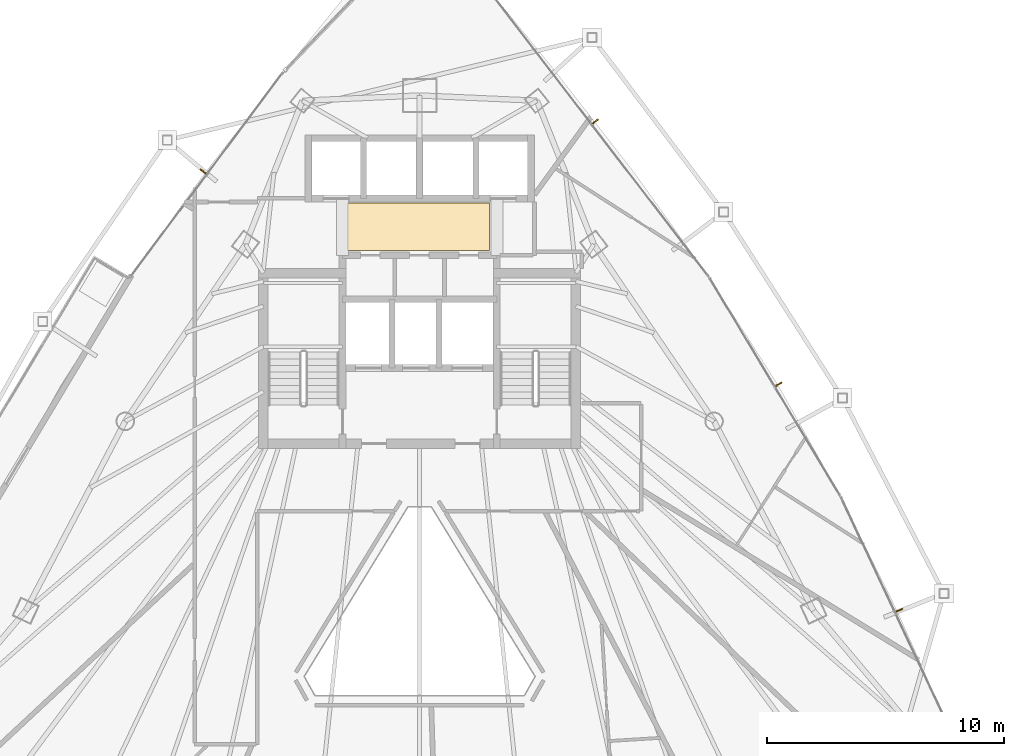
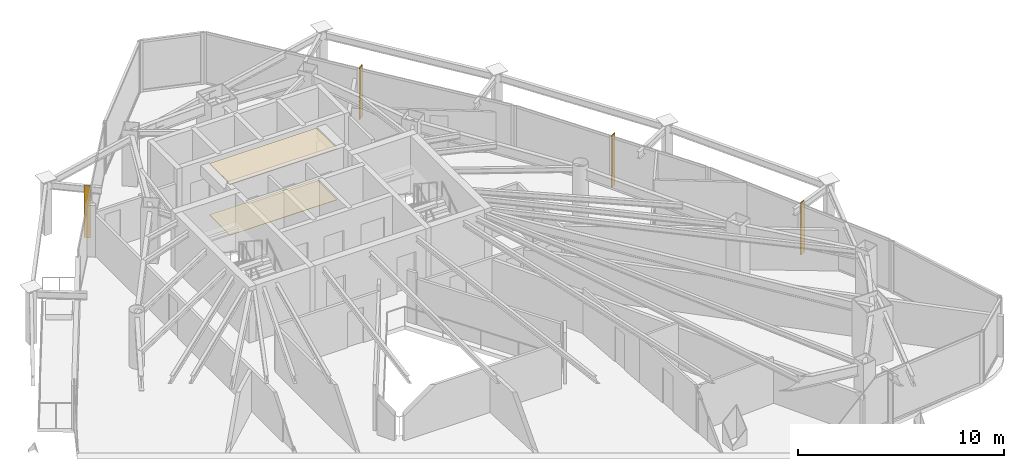
# One storey, part 29 of 29: 4 shading devices, 2 coverings.
"""IFC4 building model written with IfcOpenShell, lengths in metres."""

from ifc_helpers import new_model, si_unit, direction, frame, origin, origin_2d, place, context, subcontext, project, spatial, polyline, rectangle, outline, extrude, material, layer, layer_set, type_object, element, save


model = new_model("IFC4")

# Units and contexts
model_context = context("Model", 3, precision=1e-05, world=origin(), true_north=direction((0.0, 1.0)))
body_context = subcontext(model_context, "Body", "Model", "MODEL_VIEW")
ifc_project = project(units=[si_unit("LENGTHUNIT", "METRE"), si_unit("AREAUNIT", "SQUARE_METRE"), si_unit("VOLUMEUNIT", "CUBIC_METRE"), si_unit("PLANEANGLEUNIT", "RADIAN"), si_unit("MASSUNIT", "GRAM", prefix="KILO")], contexts=[model_context])

# Site, building, storey
site_placement = place(None, origin())
site = spatial("IfcSite", under=ifc_project, at=site_placement, CompositionType="ELEMENT")
building_placement = place(site_placement, origin())
building = spatial("IfcBuilding", under=site, at=building_placement, Name="Orvanel Arch Residences", CompositionType="ELEMENT")
storey_placement = place(building_placement, frame((0.0, 0.0, 177.050048828125)))
storey = spatial("IfcBuildingStorey", under=building, at=storey_placement, Name="L50", CompositionType="ELEMENT", Elevation=177.050048828125)

# Coverings
ifc_material_1 = material(Name="Perforated acoustic mineral-fibre ceiling tile", Category="gypsum")
ifc_layer_1 = layer(ifc_material_1, 0.034912109375)
ifc_layer_set_1 = layer_set([ifc_layer_1], Name="Perforated acoustic mineral-fibre ceiling tile")
covering_type_1 = type_object("IfcCoveringType", Name="COV-CLG-ACS35", PredefinedType="CEILING", material=ifc_layer_set_1)
covering_1_placement = place(storey_placement, frame((0.0, 0.0, 3.02490234375)))
element("IfcCovering", 1, at=covering_1_placement, inside=storey, type_object=covering_type_1, Name="L50 Lift Lobby Acoustic Ceiling", PredefinedType="CEILING", context=body_context, shape_type="SweptSolid", body=[
    extrude(outline(polyline([(29.949951171875, 34.85009765625), (35.949951171875, 34.85009765625), (35.949951171875, 36.85009765625), (29.949951171875, 36.85009765625), (29.949951171875, 34.85009765625)])), origin(), (0.0, 0.0, 1.0), 0.03515625),
])
ifc_material_2 = material(Name="Honed cementitious terrazzo floor finish", Category="concrete")
ifc_layer_2 = layer(ifc_material_2, 0.02490234375)
ifc_layer_set_2 = layer_set([ifc_layer_2], Name="Honed cementitious terrazzo floor finish")
covering_type_2 = type_object("IfcCoveringType", Name="COV-FLR-TRZ25", PredefinedType="FLOORING", material=ifc_layer_set_2)
covering_2_placement = place(storey_placement, origin())
element("IfcCovering", 2, at=covering_2_placement, inside=storey, type_object=covering_type_2, Name="L50 Lift Lobby Terrazzo Flooring", PredefinedType="FLOORING", context=body_context, shape_type="SweptSolid", body=[
    extrude(outline(polyline([(29.949951171875, 34.85009765625), (35.949951171875, 34.85009765625), (35.949951171875, 36.85009765625), (29.949951171875, 36.85009765625), (29.949951171875, 34.85009765625)])), origin(), (0.0, 0.0, 1.0), 0.02490234375),
])

# Shading devices
ifc_material_3 = material(Name="Bronze-anodised aluminium AA6063-T6", Category="aluminium")
ifc_layer_3 = layer(ifc_material_3, 0.054931640625)
ifc_layer_set_3 = layer_set([ifc_layer_3], Name="Bronze-anodised aluminium AA6063-T6")
shading_device_type = type_object("IfcShadingDeviceType", Name="FIN-BRZ-320", PredefinedType="USERDEFINED", material=ifc_layer_set_3)
for number, where, z_axis, x_axis, name in (
    (3, (23.867919921875, 38.180908203125, 0.0), (0.0, 0.0, 1.0), (-0.801775644244, 0.597625146976, 0.0), "L50 Anodised Bronze Mullion FIN 01"),
    (4, (53.243896484375, 19.656982421875, 0.0), (0.0, 0.0, 1.0), (0.904827052466, 0.425779291565, 0.0), "L50 Anodised Bronze Mullion FIN 01"),
    (5, (48.156982421875, 29.199951171875, 0.0), (0.0, 0.0, 1.0), (0.857167300702, 0.51503807491, 0.0), "L50 Anodised Bronze Mullion FIN 01"),
    (6, (40.412109375, 40.2958984375, 0.0), (0.0, 0.0, 1.0), (0.793353340291, 0.608761429009, 0.0), "L50 Anodised Bronze Mullion FIN 01"),
):
    element("IfcShadingDevice", number, at=place(storey_placement, frame(where, z_axis=z_axis, x_axis=x_axis)), inside=storey, type_object=shading_device_type, Name=name, ObjectType="FIN", PredefinedType="USERDEFINED", context=body_context, shape_type="SweptSolid", body=[
        extrude(rectangle(XDim=0.320068359375, YDim=0.054931640625, at=origin_2d()), origin(), (0.0, 0.0, 1.0), 3.06005859375),
    ])

save(model, "model.ifc")
